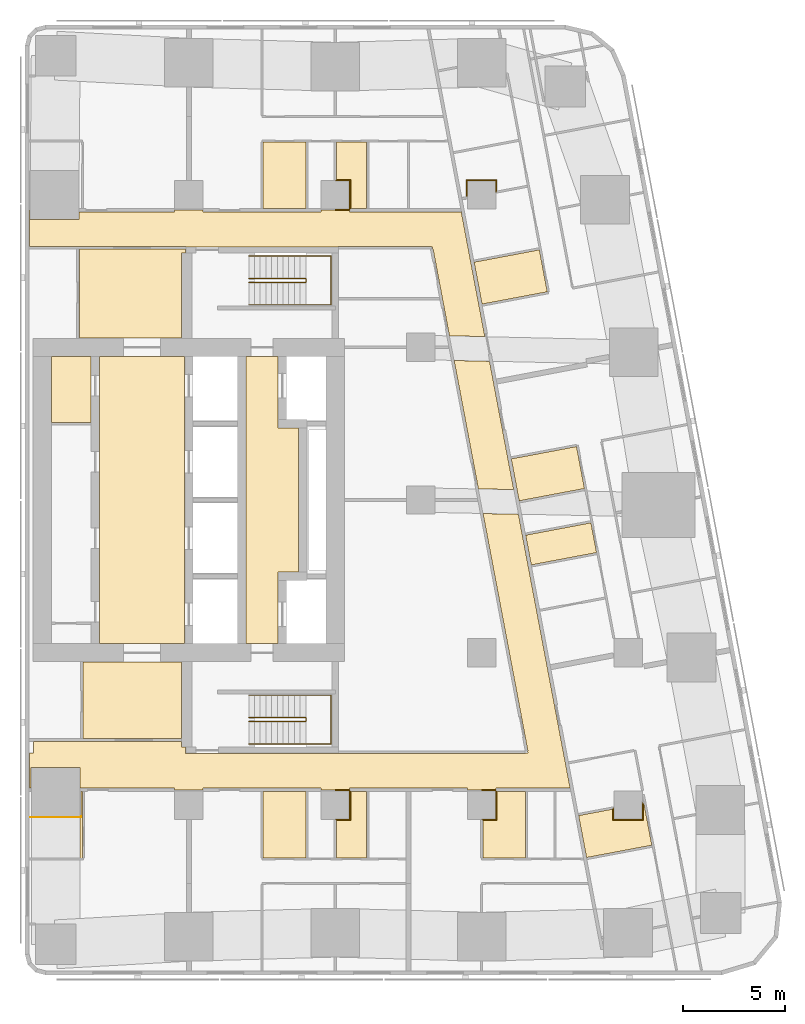
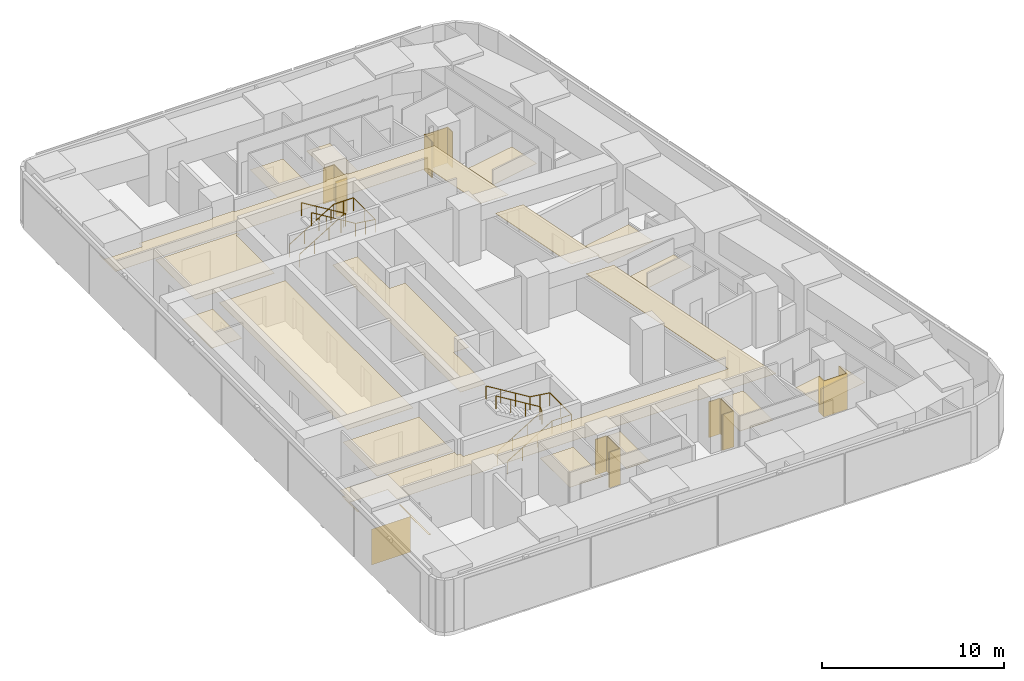
# One storey, part 10 of 10: 24 coverings, 4 railings.
"""IFC4 building model written with IfcOpenShell, lengths in metres."""

import ifcopenshell
import ifcopenshell.guid

model = None  # the IFC model being written
_history = None  # IfcOwnerHistory: only IFC2X3 demands one
_inside = {}  # id of a spatial element -> (the spatial element, [elements in it])
_under = {}  # id of a project, library or spatial element -> (it, [spatial elements below it])
_declared = {}  # id of a project -> (the project, [libraries it declares])
_typed = {}  # id of a type object -> (the type object, [elements of that type])
_made_of = {}  # id of a material, layer set ... -> (it, [elements and type objects made of it])


def new_model(schema):
    """Start an empty IFC model of exactly this schema.

    Asked for "IFC4X3", IfcOpenShell would pick the latest addendum, in which some entities
    have other attributes; the version numbers below select the first issue.
    IFC2X3 requires an IfcOwnerHistory on every rooted entity: one is made here for all.
    """
    global model, _history
    if schema == "IFC4X3":
        model = ifcopenshell.file(schema_version=(4, 3, 0, 0))
    else:
        model = ifcopenshell.file(schema=schema)
    _inside.clear()
    _under.clear()
    _declared.clear()
    _typed.clear()
    _made_of.clear()
    _history = None
    if model.schema == "IFC2X3":
        org = make("IfcOrganization", Name="unknown")
        user = make(
            "IfcPersonAndOrganization",
            ThePerson=make("IfcPerson", FamilyName="unknown"),
            TheOrganization=org,
        )
        app = make(
            "IfcApplication",
            ApplicationDeveloper=org,
            Version="unknown",
            ApplicationFullName="unknown",
            ApplicationIdentifier="unknown",
        )
        _history = make(
            "IfcOwnerHistory",
            OwningUser=user,
            OwningApplication=app,
            ChangeAction="ADDED",
            CreationDate=0,
        )
    return model


def make(cls, **values):
    """One entity of the class cls with the attributes given. An attribute that is None is left unset."""
    return model.create_entity(
        cls, **{name: value for name, value in values.items() if value is not None}
    )


def rooted(cls, **values):
    """An entity with a GlobalId (a new one), such as an element, a storey or a relation."""
    return make(cls, GlobalId=ifcopenshell.guid.new(), OwnerHistory=_history, **values)


def si_unit(unit_type, name, prefix=None):
    """IfcSIUnit, for example si_unit("LENGTHUNIT", "METRE", prefix="MILLI")."""
    return make("IfcSIUnit", UnitType=unit_type, Prefix=prefix, Name=name)


def assignment(units):
    """IfcUnitAssignment: the units of a project."""
    return None if units is None else make("IfcUnitAssignment", Units=units)


def point(xyz):
    """IfcCartesianPoint."""
    return None if xyz is None else make("IfcCartesianPoint", Coordinates=xyz)


def direction(xyz):
    """IfcDirection."""
    return None if xyz is None else make("IfcDirection", DirectionRatios=xyz)


def frame(location, z_axis=None, x_axis=None):
    """IfcAxis2Placement3D, a coordinate frame: its origin and axes. An axis left out is left unset."""
    return make(
        "IfcAxis2Placement3D",
        Location=point(location),
        Axis=direction(z_axis),
        RefDirection=direction(x_axis),
    )


def frame_2d(location, x_axis=None):
    """IfcAxis2Placement2D, a coordinate frame in the plane: its origin and x axis."""
    return make(
        "IfcAxis2Placement2D", Location=point(location), RefDirection=direction(x_axis)
    )


def origin():
    """The frame at (0, 0, 0) with its axes left unset."""
    return frame((0.0, 0.0, 0.0))


def origin_2d():
    """The frame at (0, 0) in the plane with its x axis left unset."""
    return frame_2d((0.0, 0.0))


def place(relative_to, where):
    """IfcLocalPlacement: puts the frame where relative to a parent placement (None: the world)."""
    return make(
        "IfcLocalPlacement", PlacementRelTo=relative_to, RelativePlacement=where
    )


def context(
    kind, dimensions, precision=None, world=None, true_north=None, identifier=None
):
    """IfcGeometricRepresentationContext, for example the 3D "Model" context."""
    return make(
        "IfcGeometricRepresentationContext",
        ContextIdentifier=identifier,
        ContextType=kind,
        CoordinateSpaceDimension=dimensions,
        Precision=precision,
        WorldCoordinateSystem=world,
        TrueNorth=true_north,
    )


def subcontext(parent, identifier, kind, view, scale=None):
    """IfcGeometricRepresentationSubContext, for example "Body" below "Model"."""
    return make(
        "IfcGeometricRepresentationSubContext",
        ContextIdentifier=identifier,
        ContextType=kind,
        ParentContext=parent,
        TargetScale=scale,
        TargetView=view,
    )


def project(units=None, contexts=None):
    """IfcProject with its units and contexts."""
    return rooted(
        "IfcProject",
        Name="project",
        RepresentationContexts=contexts,
        UnitsInContext=assignment(units),
    )


def spatial(cls, under=None, at=None, **own):
    """A site, building, storey or space (cls), placed at a placement, below another one or the project."""
    s = rooted(cls, ObjectPlacement=at, **own)
    if under is not None:
        _under.setdefault(under.id(), (under, []))[1].append(s)
    return s


def polyline(points):
    """IfcPolyline through the points."""
    return make("IfcPolyline", Points=[point(p) for p in points])


def profile(cls, at=None, kind="AREA", **sizes):
    """A parametric profile (cls). Its sizes go by their IFC names, for example OverallWidth=200.0."""
    return make(cls, ProfileType=kind, Position=at, **sizes)


def circle(**sizes):
    """IfcCircleProfileDef."""
    return profile("IfcCircleProfileDef", **sizes)


def outline(outer, holes=None, kind="AREA"):
    """IfcArbitraryClosedProfileDef: a profile drawn as a closed curve; with holes, ...WithVoids."""
    if holes is None:
        return make("IfcArbitraryClosedProfileDef", ProfileType=kind, OuterCurve=outer)
    return make(
        "IfcArbitraryProfileDefWithVoids",
        ProfileType=kind,
        OuterCurve=outer,
        InnerCurves=holes,
    )


def extrude(swept, where, along, depth):
    """IfcExtrudedAreaSolid: the profile swept, set in the frame where, extruded along a direction by depth."""
    return make(
        "IfcExtrudedAreaSolid",
        SweptArea=swept,
        Position=where,
        ExtrudedDirection=direction(along),
        Depth=depth,
    )


def shape(context_of_items, identifier, shape_type, items):
    """IfcShapeRepresentation: the items that make up one representation, for example the "Body"."""
    return make(
        "IfcShapeRepresentation",
        ContextOfItems=context_of_items,
        RepresentationIdentifier=identifier,
        RepresentationType=shape_type,
        Items=items,
    )


def material(Name=None, Category=None):
    """IfcMaterial."""
    return make("IfcMaterial", Name=Name, Category=Category)


def layer(
    of_material, thickness, ventilated=None, Name=None, Category=None, Priority=None
):
    """IfcMaterialLayer: one layer of a wall or slab, of a material (None: an air gap)."""
    return make(
        "IfcMaterialLayer",
        Material=of_material,
        LayerThickness=thickness,
        IsVentilated=ventilated,
        Name=Name,
        Category=Category,
        Priority=Priority,
    )


def layer_set(layers, Name=None):
    """IfcMaterialLayerSet."""
    return make("IfcMaterialLayerSet", MaterialLayers=layers, LayerSetName=Name)


def made_of(thing, what):
    """Note that an element or type object is made of a material, layer set ...; save() writes the relation."""
    if what is not None:
        _made_of.setdefault(what.id(), (what, []))[1].append(thing)
    return thing


def type_object(cls, material=None, **own):
    """A type object (cls), such as IfcWallType, which elements share."""
    return made_of(rooted(cls, **own), material)


def element(
    cls,
    number,
    at=None,
    inside=None,
    cuts=None,
    type_object=None,
    material=None,
    context=None,
    identifier="Body",
    shape_type=None,
    held_by="IfcProductDefinitionShape",
    body=None,
    shapes=None,
    **own,
):
    """One element of the class cls, such as IfcWall. Its Tag is "e" and its number.

    at: its placement. inside: the storey or other place that contains it. cuts: it is an
    opening in that element (IfcRelVoidsElement). A single representation is given by context,
    identifier, shape_type and body (its items); several are given by shapes. held_by: the class
    of the entity that holds the representations. save() writes the other relations.
    """
    e = rooted(cls, Tag="e%d" % number, ObjectPlacement=at, **own)
    if body is not None:
        shapes = [shape(context, identifier, shape_type, body)]
    if shapes is not None:
        e.Representation = make(held_by, Representations=shapes)
    if inside is not None:
        _inside.setdefault(inside.id(), (inside, []))[1].append(e)
    if cuts is not None:
        rooted(
            "IfcRelVoidsElement", RelatingBuildingElement=cuts, RelatedOpeningElement=e
        )
    if type_object is not None:
        _typed.setdefault(type_object.id(), (type_object, []))[1].append(e)
    return made_of(e, material)


def aggregate(whole, parts):
    """IfcRelAggregates: a whole, such as a stair, and the parts it consists of."""
    return rooted("IfcRelAggregates", RelatingObject=whole, RelatedObjects=parts)


def save(model, path):
    """Write the relations noted so far, then the file.

    IfcRelAggregates (storeys below a building ...), IfcRelContainedInSpatialStructure (elements
    in a storey), IfcRelDefinesByType, IfcRelAssociatesMaterial and IfcRelDeclares: one each for
    every whole, place, type object, material and project.
    """
    for whole, parts in _under.values():
        aggregate(whole, parts)
    for where, things in _inside.values():
        rooted(
            "IfcRelContainedInSpatialStructure",
            RelatedElements=things,
            RelatingStructure=where,
        )
    for kind, things in _typed.values():
        rooted("IfcRelDefinesByType", RelatedObjects=things, RelatingType=kind)
    for what, things in _made_of.values():
        rooted("IfcRelAssociatesMaterial", RelatedObjects=things, RelatingMaterial=what)
    for by, libraries in _declared.values():
        rooted("IfcRelDeclares", RelatingContext=by, RelatedDefinitions=libraries)
    model.write(path)


model = new_model("IFC4")

# Units and contexts
model_context = context("Model", 3, precision=1e-05, world=origin(), true_north=direction((0.0, 1.0)))
body_context = subcontext(model_context, "Body", "Model", "MODEL_VIEW")
ifc_project = project(units=[si_unit("LENGTHUNIT", "METRE"), si_unit("AREAUNIT", "SQUARE_METRE"), si_unit("VOLUMEUNIT", "CUBIC_METRE"), si_unit("PLANEANGLEUNIT", "RADIAN"), si_unit("MASSUNIT", "GRAM", prefix="KILO")], contexts=[model_context])

# Site, building, storey
site_placement = place(None, origin())
site = spatial("IfcSite", under=ifc_project, at=site_placement, CompositionType="ELEMENT")
building_placement = place(site_placement, origin())
building = spatial("IfcBuilding", under=site, at=building_placement, Name="Sheger Commons Tower", CompositionType="ELEMENT")
storey_placement = place(building_placement, frame((0.0, 0.0, 234.949951171875)))
storey = spatial("IfcBuildingStorey", under=building, at=storey_placement, Name="L60", CompositionType="ELEMENT", Elevation=234.949951171875)

# Railings
ifc_material_1 = material(Name="Steel handrail, black powder-coated", Category="steel")
railing_type = type_object("IfcRailingType", Name="HANDRAIL 900", PredefinedType="HANDRAIL", material=ifc_material_1)
railing_1_placement = place(storey_placement, frame((24.550048828125, 11.60009765625, 0.17041015625)))
element("IfcRailing", 1, at=railing_1_placement, inside=storey, type_object=railing_type, Name="Stair S1 handrail L60", PredefinedType="HANDRAIL", context=body_context, shape_type="SweptSolid", body=[
    extrude(circle(Radius=0.02392578125, at=origin_2d()), frame((0.0, 0.0, 0.8759765625), z_axis=(0.854169791009, 0.0, 0.51999420009), x_axis=(0.0, 1.0, 0.0)), (0.0, 0.0, 1.0), 3.278076171875),
    extrude(circle(Radius=0.02392578125, at=origin_2d()), frame((2.800048828125, 0.0, 2.58056640625), z_axis=(0.0, 0.761090297175, 0.648645943136), x_axis=(-1.0, 0.0, 0.0)), (0.0, 0.0, 1.0), 0.2626953125),
    extrude(circle(Radius=0.02392578125, at=origin_2d()), frame((2.800048828125, 0.199951171875, 2.7509765625), z_axis=(-0.854169791009, 0.0, 0.51999420009), x_axis=(0.0, -1.0, 0.0)), (0.0, 0.0, 1.0), 3.278076171875),
    extrude(circle(Radius=0.02099609375, at=origin_2d()), origin(), (0.0, 0.0, 1.0), 0.851806640625),
    extrude(circle(Radius=0.02099609375, at=origin_2d()), frame((0.933349609375, 0.0, 0.568115234375)), (0.0, 0.0, 1.0), 0.851806640625),
    extrude(circle(Radius=0.02099609375, at=origin_2d()), frame((1.86669921875, 0.0, 1.136474609375)), (0.0, 0.0, 1.0), 0.851806640625),
    extrude(circle(Radius=0.02099609375, at=origin_2d()), frame((2.800048828125, 0.0, 1.70458984375)), (0.0, 0.0, 1.0), 0.851806640625),
    extrude(circle(Radius=0.02099609375, at=origin_2d()), frame((2.800048828125, 0.199951171875, 1.875)), (0.0, 0.0, 1.0), 0.851806640625),
    extrude(circle(Radius=0.02099609375, at=origin_2d()), frame((1.86669921875, 0.199951171875, 2.443115234375)), (0.0, 0.0, 1.0), 0.851806640625),
    extrude(circle(Radius=0.02099609375, at=origin_2d()), frame((0.933349609375, 0.199951171875, 3.011474609375)), (0.0, 0.0, 1.0), 0.851806640625),
    extrude(circle(Radius=0.02099609375, at=origin_2d()), frame((0.0, 0.199951171875, 3.57958984375)), (0.0, 0.0, 1.0), 0.851806640625),
])
railing_2_placement = place(storey_placement, frame((24.550048828125, 10.5, 0.17041015625)))
element("IfcRailing", 2, at=railing_2_placement, inside=storey, type_object=railing_type, Name="Stair S1 handrail L60", PredefinedType="HANDRAIL", context=body_context, shape_type="SweptSolid", body=[
    extrude(circle(Radius=0.02392578125, at=origin_2d()), frame((0.0, 0.0, 0.8759765625), z_axis=(0.854169791009, 0.0, 0.51999420009), x_axis=(0.0, 1.0, 0.0)), (0.0, 0.0, 1.0), 3.278076171875),
    extrude(circle(Radius=0.02392578125, at=origin_2d()), frame((2.800048828125, 0.0, 2.58056640625), z_axis=(1.0, 0.0, 0.0), x_axis=(0.0, 1.0, 0.0)), (0.0, 0.0, 1.0), 1.25),
    extrude(circle(Radius=0.02392578125, at=origin_2d()), frame((4.050048828125, 0.0, 2.58056640625), z_axis=(0.0, 1.0, 0.0), x_axis=(-1.0, 0.0, 0.0)), (0.0, 0.0, 1.0), 2.39990234375),
    extrude(circle(Radius=0.02392578125, at=origin_2d()), frame((4.050048828125, 2.39990234375, 2.58056640625), z_axis=(-0.990834877927, 0.0, 0.135078661092), x_axis=(0.0, -1.0, 0.0)), (0.0, 0.0, 1.0), 1.261474609375),
    extrude(circle(Radius=0.02392578125, at=origin_2d()), frame((2.800048828125, 2.39990234375, 2.7509765625), z_axis=(-0.854169791009, 0.0, 0.51999420009), x_axis=(0.0, -1.0, 0.0)), (0.0, 0.0, 1.0), 3.278076171875),
    extrude(circle(Radius=0.02099609375, at=origin_2d()), origin(), (0.0, 0.0, 1.0), 0.851806640625),
    extrude(circle(Radius=0.02099609375, at=origin_2d()), frame((0.933349609375, 0.0, 0.568115234375)), (0.0, 0.0, 1.0), 0.851806640625),
    extrude(circle(Radius=0.02099609375, at=origin_2d()), frame((1.86669921875, 0.0, 1.136474609375)), (0.0, 0.0, 1.0), 0.851806640625),
    extrude(circle(Radius=0.02099609375, at=origin_2d()), frame((2.800048828125, 0.0, 1.70458984375)), (0.0, 0.0, 1.0), 0.851806640625),
    extrude(circle(Radius=0.02099609375, at=origin_2d()), frame((3.425048828125, 0.0, 1.70458984375)), (0.0, 0.0, 1.0), 0.851806640625),
    extrude(circle(Radius=0.02099609375, at=origin_2d()), frame((4.050048828125, 0.0, 1.70458984375)), (0.0, 0.0, 1.0), 0.851806640625),
    extrude(circle(Radius=0.02099609375, at=origin_2d()), frame((4.050048828125, 1.199951171875, 1.70458984375)), (0.0, 0.0, 1.0), 0.851806640625),
    extrude(circle(Radius=0.02099609375, at=origin_2d()), frame((4.050048828125, 2.39990234375, 1.70458984375)), (0.0, 0.0, 1.0), 0.851806640625),
    extrude(circle(Radius=0.02099609375, at=origin_2d()), frame((3.425048828125, 2.39990234375, 1.789794921875)), (0.0, 0.0, 1.0), 0.851806640625),
    extrude(circle(Radius=0.02099609375, at=origin_2d()), frame((2.800048828125, 2.39990234375, 1.875)), (0.0, 0.0, 1.0), 0.851806640625),
    extrude(circle(Radius=0.02099609375, at=origin_2d()), frame((1.86669921875, 2.39990234375, 2.443115234375)), (0.0, 0.0, 1.0), 0.851806640625),
    extrude(circle(Radius=0.02099609375, at=origin_2d()), frame((0.933349609375, 2.39990234375, 3.011474609375)), (0.0, 0.0, 1.0), 0.851806640625),
    extrude(circle(Radius=0.02099609375, at=origin_2d()), frame((0.0, 2.39990234375, 3.57958984375)), (0.0, 0.0, 1.0), 0.851806640625),
])
railing_3_placement = place(storey_placement, frame((24.550048828125, 33.39990234375, 0.17041015625)))
element("IfcRailing", 3, at=railing_3_placement, inside=storey, type_object=railing_type, Name="Stair S2 handrail L60", PredefinedType="HANDRAIL", context=body_context, shape_type="SweptSolid", body=[
    extrude(circle(Radius=0.02392578125, at=origin_2d()), frame((0.0, 0.0, 0.8759765625), z_axis=(0.854169791009, 0.0, 0.51999420009), x_axis=(0.0, 1.0, 0.0)), (0.0, 0.0, 1.0), 3.278076171875),
    extrude(circle(Radius=0.02392578125, at=origin_2d()), frame((2.800048828125, 0.0, 2.58056640625), z_axis=(0.0, -0.761090297175, 0.648645943136), x_axis=(1.0, 0.0, 0.0)), (0.0, 0.0, 1.0), 0.2626953125),
    extrude(circle(Radius=0.02392578125, at=origin_2d()), frame((2.800048828125, -0.199951171875, 2.7509765625), z_axis=(-0.854169791009, 0.0, 0.51999420009), x_axis=(0.0, -1.0, 0.0)), (0.0, 0.0, 1.0), 3.278076171875),
    extrude(circle(Radius=0.02099609375, at=origin_2d()), origin(), (0.0, 0.0, 1.0), 0.851806640625),
    extrude(circle(Radius=0.02099609375, at=origin_2d()), frame((0.933349609375, 0.0, 0.568115234375)), (0.0, 0.0, 1.0), 0.851806640625),
    extrude(circle(Radius=0.02099609375, at=origin_2d()), frame((1.86669921875, 0.0, 1.136474609375)), (0.0, 0.0, 1.0), 0.851806640625),
    extrude(circle(Radius=0.02099609375, at=origin_2d()), frame((2.800048828125, 0.0, 1.70458984375)), (0.0, 0.0, 1.0), 0.851806640625),
    extrude(circle(Radius=0.02099609375, at=origin_2d()), frame((2.800048828125, -0.199951171875, 1.875)), (0.0, 0.0, 1.0), 0.851806640625),
    extrude(circle(Radius=0.02099609375, at=origin_2d()), frame((1.86669921875, -0.199951171875, 2.443115234375)), (0.0, 0.0, 1.0), 0.851806640625),
    extrude(circle(Radius=0.02099609375, at=origin_2d()), frame((0.933349609375, -0.199951171875, 3.011474609375)), (0.0, 0.0, 1.0), 0.851806640625),
    extrude(circle(Radius=0.02099609375, at=origin_2d()), frame((0.0, -0.199951171875, 3.57958984375)), (0.0, 0.0, 1.0), 0.851806640625),
])
railing_4_placement = place(storey_placement, frame((24.550048828125, 34.5, 0.17041015625)))
element("IfcRailing", 4, at=railing_4_placement, inside=storey, type_object=railing_type, Name="Stair S2 handrail L60", PredefinedType="HANDRAIL", context=body_context, shape_type="SweptSolid", body=[
    extrude(circle(Radius=0.02392578125, at=origin_2d()), frame((0.0, 0.0, 0.8759765625), z_axis=(0.854169791009, 0.0, 0.51999420009), x_axis=(0.0, 1.0, 0.0)), (0.0, 0.0, 1.0), 3.278076171875),
    extrude(circle(Radius=0.02392578125, at=origin_2d()), frame((2.800048828125, 0.0, 2.58056640625), z_axis=(1.0, 0.0, 0.0), x_axis=(0.0, 1.0, 0.0)), (0.0, 0.0, 1.0), 1.25),
    extrude(circle(Radius=0.02392578125, at=origin_2d()), frame((4.050048828125, 0.0, 2.58056640625), z_axis=(0.0, -1.0, 0.0), x_axis=(1.0, 0.0, 0.0)), (0.0, 0.0, 1.0), 2.39990234375),
    extrude(circle(Radius=0.02392578125, at=origin_2d()), frame((4.050048828125, -2.39990234375, 2.58056640625), z_axis=(-0.990834877927, 0.0, 0.135078661092), x_axis=(0.0, -1.0, 0.0)), (0.0, 0.0, 1.0), 1.261474609375),
    extrude(circle(Radius=0.02392578125, at=origin_2d()), frame((2.800048828125, -2.39990234375, 2.7509765625), z_axis=(-0.854169791009, 0.0, 0.51999420009), x_axis=(0.0, -1.0, 0.0)), (0.0, 0.0, 1.0), 3.278076171875),
    extrude(circle(Radius=0.02099609375, at=origin_2d()), origin(), (0.0, 0.0, 1.0), 0.851806640625),
    extrude(circle(Radius=0.02099609375, at=origin_2d()), frame((0.933349609375, 0.0, 0.568115234375)), (0.0, 0.0, 1.0), 0.851806640625),
    extrude(circle(Radius=0.02099609375, at=origin_2d()), frame((1.86669921875, 0.0, 1.136474609375)), (0.0, 0.0, 1.0), 0.851806640625),
    extrude(circle(Radius=0.02099609375, at=origin_2d()), frame((2.800048828125, 0.0, 1.70458984375)), (0.0, 0.0, 1.0), 0.851806640625),
    extrude(circle(Radius=0.02099609375, at=origin_2d()), frame((3.425048828125, 0.0, 1.70458984375)), (0.0, 0.0, 1.0), 0.851806640625),
    extrude(circle(Radius=0.02099609375, at=origin_2d()), frame((4.050048828125, 0.0, 1.70458984375)), (0.0, 0.0, 1.0), 0.851806640625),
    extrude(circle(Radius=0.02099609375, at=origin_2d()), frame((4.050048828125, -1.199951171875, 1.70458984375)), (0.0, 0.0, 1.0), 0.851806640625),
    extrude(circle(Radius=0.02099609375, at=origin_2d()), frame((4.050048828125, -2.39990234375, 1.70458984375)), (0.0, 0.0, 1.0), 0.851806640625),
    extrude(circle(Radius=0.02099609375, at=origin_2d()), frame((3.425048828125, -2.39990234375, 1.789794921875)), (0.0, 0.0, 1.0), 0.851806640625),
    extrude(circle(Radius=0.02099609375, at=origin_2d()), frame((2.800048828125, -2.39990234375, 1.875)), (0.0, 0.0, 1.0), 0.851806640625),
    extrude(circle(Radius=0.02099609375, at=origin_2d()), frame((1.86669921875, -2.39990234375, 2.443115234375)), (0.0, 0.0, 1.0), 0.851806640625),
    extrude(circle(Radius=0.02099609375, at=origin_2d()), frame((0.933349609375, -2.39990234375, 3.011474609375)), (0.0, 0.0, 1.0), 0.851806640625),
    extrude(circle(Radius=0.02099609375, at=origin_2d()), frame((0.0, -2.39990234375, 3.57958984375)), (0.0, 0.0, 1.0), 0.851806640625),
])

# Coverings
ifc_material_2 = material(Name="Moisture-resistant gypsum plasterboard 15 mm on a suspended galvanised steel grid", Category="steel")
ifc_layer_1 = layer(ifc_material_2, 0.014892578125)
ifc_layer_set_1 = layer_set([ifc_layer_1], Name="MOISTURE-RESISTANT CEILING 15")
covering_type_1 = type_object("IfcCoveringType", Name="MOISTURE-RESISTANT CEILING 15", PredefinedType="CEILING", material=ifc_layer_set_1)
covering_1_placement = place(storey_placement, frame((0.0, 0.0, 2.400146484375)))
element("IfcCovering", 5, at=covering_1_placement, inside=storey, type_object=covering_type_1, Name="L60-01.B1 ceiling", PredefinedType="CEILING", context=body_context, shape_type="SweptSolid", body=[
    extrude(outline(polyline([(16.259033203125, 4.85009765625), (16.428955078125, 4.85009765625), (16.428955078125, 4.89501953125), (16.3740234375, 4.89501953125), (16.3740234375, 8.169921875), (16.303955078125, 8.169921875), (16.303955078125, 6.9541015625), (16.2958984375, 6.926025390625), (16.27294921875, 6.907958984375), (16.259033203125, 6.907958984375), (16.259033203125, 4.85009765625)])), origin(), (0.0, 0.0, 1.0), 0.014892578125),
])
covering_2_placement = place(storey_placement, frame((0.0, 0.0, 2.400146484375)))
element("IfcCovering", 6, at=covering_2_placement, inside=storey, type_object=covering_type_1, Name="L60-02.B1 ceiling", PredefinedType="CEILING", context=body_context, shape_type="SweptSolid", body=[
    extrude(outline(polyline([(25.2548828125, 4.905029296875), (27.35498046875, 4.905029296875), (27.35498046875, 8.169921875), (25.2548828125, 8.169921875), (25.2548828125, 4.905029296875)])), origin(), (0.0, 0.0, 1.0), 0.014892578125),
])
covering_3_placement = place(storey_placement, frame((0.0, 0.0, 2.400146484375)))
element("IfcCovering", 7, at=covering_3_placement, inside=storey, type_object=covering_type_1, Name="L60-02.B2 ceiling", PredefinedType="CEILING", context=body_context, shape_type="SweptSolid", body=[
    extrude(outline(polyline([(28.85498046875, 4.905029296875), (30.344970703125, 4.905029296875), (30.344970703125, 8.169921875), (29.5048828125, 8.169921875), (29.5048828125, 6.794921875), (28.85498046875, 6.794921875), (28.85498046875, 4.905029296875)])), origin(), (0.0, 0.0, 1.0), 0.014892578125),
])
covering_4_placement = place(storey_placement, frame((0.0, 0.0, 2.400146484375)))
element("IfcCovering", 8, at=covering_4_placement, inside=storey, type_object=covering_type_1, Name="L60-03.B1 ceiling", PredefinedType="CEILING", context=body_context, shape_type="SweptSolid", body=[
    extrude(outline(polyline([(36.054931640625, 4.905029296875), (38.155029296875, 4.905029296875), (38.155029296875, 8.169921875), (36.705078125, 8.169921875), (36.705078125, 6.794921875), (36.054931640625, 6.794921875), (36.054931640625, 4.905029296875)])), origin(), (0.0, 0.0, 1.0), 0.014892578125),
])
covering_5_placement = place(storey_placement, frame((0.0, 0.0, 2.400146484375)))
element("IfcCovering", 9, at=covering_5_placement, inside=storey, type_object=covering_type_1, Name="L60-04.B1 ceiling", PredefinedType="CEILING", context=body_context, shape_type="SweptSolid", body=[
    extrude(outline(polyline([(36.01708984375, 32.1298828125), (39.22412109375, 32.736083984375), (38.833984375, 34.800048828125), (35.626953125, 34.194091796875), (36.01708984375, 32.1298828125)])), origin(), (0.0, 0.0, 1.0), 0.014892578125),
])
covering_6_placement = place(storey_placement, frame((0.0, 0.0, 2.400146484375)))
element("IfcCovering", 10, at=covering_6_placement, inside=storey, type_object=covering_type_1, Name="L60-05.B1 ceiling", PredefinedType="CEILING", context=body_context, shape_type="SweptSolid", body=[
    extrude(outline(polyline([(37.843017578125, 22.4580078125), (41.052001953125, 23.06396484375), (40.662109375, 25.1279296875), (37.4541015625, 24.52197265625), (37.843017578125, 22.4580078125)])), origin(), (0.0, 0.0, 1.0), 0.014892578125),
])
covering_7_placement = place(storey_placement, frame((0.0, 0.0, 2.400146484375)))
element("IfcCovering", 11, at=covering_7_placement, inside=storey, type_object=covering_type_1, Name="L60-05.B2 ceiling", PredefinedType="CEILING", context=body_context, shape_type="SweptSolid", body=[
    extrude(outline(polyline([(38.43798828125, 19.30810546875), (41.64697265625, 19.9140625), (41.37109375, 21.3779296875), (38.162109375, 20.77197265625), (38.43798828125, 19.30810546875)])), origin(), (0.0, 0.0, 1.0), 0.014892578125),
])
covering_8_placement = place(storey_placement, frame((0.0, 0.0, 2.400146484375)))
element("IfcCovering", 12, at=covering_8_placement, inside=storey, type_object=covering_type_1, Name="L60-06.B1 ceiling", PredefinedType="CEILING", context=body_context, shape_type="SweptSolid", body=[
    extrude(outline(polyline([(41.156005859375, 4.9208984375), (44.364013671875, 5.527099609375), (43.97412109375, 7.591064453125), (43.9150390625, 7.580078125), (43.906982421875, 7.623046875), (43.905029296875, 7.623046875), (43.905029296875, 6.794921875), (42.4951171875, 6.794921875), (42.4951171875, 7.31201171875), (40.76611328125, 6.985107421875), (41.156005859375, 4.9208984375)])), origin(), (0.0, 0.0, 1.0), 0.014892578125),
])
covering_9_placement = place(storey_placement, frame((0.0, 0.0, 2.400146484375)))
element("IfcCovering", 13, at=covering_9_placement, inside=storey, type_object=covering_type_1, Name="L60-08.B1 ceiling", PredefinedType="CEILING", context=body_context, shape_type="SweptSolid", body=[
    extrude(outline(polyline([(25.2548828125, 36.830078125), (27.35498046875, 36.830078125), (27.35498046875, 40.094970703125), (25.2548828125, 40.094970703125), (25.2548828125, 36.830078125)])), origin(), (0.0, 0.0, 1.0), 0.014892578125),
])
covering_10_placement = place(storey_placement, frame((0.0, 0.0, 2.400146484375)))
element("IfcCovering", 14, at=covering_10_placement, inside=storey, type_object=covering_type_1, Name="L60-08.B2 ceiling", PredefinedType="CEILING", context=body_context, shape_type="SweptSolid", body=[
    extrude(outline(polyline([(29.5048828125, 36.830078125), (30.344970703125, 36.830078125), (30.344970703125, 40.094970703125), (28.85498046875, 40.094970703125), (28.85498046875, 38.205078125), (29.5048828125, 38.205078125), (29.5048828125, 36.830078125)])), origin(), (0.0, 0.0, 1.0), 0.014892578125),
])
covering_11_placement = place(storey_placement, frame((0.0, 0.0, 2.400146484375)))
element("IfcCovering", 15, at=covering_11_placement, inside=storey, type_object=covering_type_1, Name="L60-CRB2 ceiling", PredefinedType="CEILING", context=body_context, shape_type="SweptSolid", body=[
    extrude(outline(polyline([(14.85498046875, 26.31689453125), (16.794921875, 26.31689453125), (16.794921875, 29.544921875), (14.85498046875, 29.544921875), (14.85498046875, 26.31689453125)])), origin(), (0.0, 0.0, 1.0), 0.014892578125),
])
ifc_material_3 = material(Name="Gypsum plasterboard 15 mm on a suspended steel grid", Category="steel")
ifc_layer_2 = layer(ifc_material_3, 0.014892578125)
ifc_layer_set_2 = layer_set([ifc_layer_2], Name="SUSPENDED CEILING 15")
covering_type_2 = type_object("IfcCoveringType", Name="SUSPENDED CEILING 15", PredefinedType="CEILING", material=ifc_layer_set_2)
covering_12_placement = place(storey_placement, frame((0.0, 0.0, 2.699951171875)))
element("IfcCovering", 16, at=covering_12_placement, inside=storey, type_object=covering_type_2, Name="L60-CO ceiling", PredefinedType="CEILING", context=body_context, shape_type="SweptSolid", body=[
    extrude(outline(polyline([(20.904052734375, 8.25), (22.2958984375, 8.25), (22.2958984375, 8.330078125), (28.10400390625, 8.330078125), (28.10400390625, 8.25), (29.49609375, 8.25), (29.49609375, 8.330078125), (35.303955078125, 8.330078125), (35.303955078125, 8.25), (36.696044921875, 8.25), (36.696044921875, 8.330078125), (40.34912109375, 8.330078125), (37.804931640625, 21.798095703125), (36.06591796875, 21.8330078125), (38.26904296875, 10.1708984375), (38.251953125, 10.1669921875), (38.27392578125, 10.050048828125), (38.14306640625, 10.050048828125), (38.14306640625, 10.031982421875), (28.945068359375, 10.031982421875), (28.945068359375, 10.044921875), (21.445068359375, 10.044921875), (21.445068359375, 10.344970703125), (21.2451171875, 10.344970703125), (21.2451171875, 10.632080078125), (13.9599609375, 10.632080078125), (13.9599609375, 10.050048828125), (13.7548828125, 10.050048828125), (13.7548828125, 8.330078125), (13.84912109375, 8.330078125), (13.84912109375, 9.35888671875), (16.259033203125, 9.35888671875), (16.259033203125, 8.330078125), (20.904052734375, 8.330078125), (20.904052734375, 8.25)])), origin(), (0.0, 0.0, 1.0), 0.01513671875),
])
covering_13_placement = place(storey_placement, frame((0.0, 0.0, 2.699951171875)))
element("IfcCovering", 17, at=covering_13_placement, inside=storey, type_object=covering_type_2, Name="L60-CO ceiling", PredefinedType="CEILING", context=body_context, shape_type="SweptSolid", body=[
    extrude(outline(polyline([(37.575927734375, 23.011962890625), (36.385009765625, 29.318115234375), (34.64501953125, 29.35791015625), (35.8369140625, 23.048095703125), (37.575927734375, 23.011962890625)])), origin(), (0.0, 0.0, 1.0), 0.01513671875),
])
covering_14_placement = place(storey_placement, frame((0.0, 0.0, 2.699951171875)))
element("IfcCovering", 18, at=covering_14_placement, inside=storey, type_object=covering_type_2, Name="L60-CO ceiling", PredefinedType="CEILING", context=body_context, shape_type="SweptSolid", body=[
    extrude(outline(polyline([(36.155029296875, 30.533935546875), (34.98095703125, 36.75), (34.97705078125, 36.75), (34.97705078125, 36.669921875), (29.49609375, 36.669921875), (29.49609375, 36.75), (28.10400390625, 36.75), (28.10400390625, 36.669921875), (22.2958984375, 36.669921875), (22.2958984375, 36.75), (20.904052734375, 36.75), (20.904052734375, 36.669921875), (16.205078125, 36.669921875), (16.205078125, 36.294921875), (13.794921875, 36.294921875), (13.794921875, 36.75), (13.7548828125, 36.75), (13.7548828125, 34.968017578125), (21.455078125, 34.968017578125), (21.455078125, 34.949951171875), (28.945068359375, 34.949951171875), (28.945068359375, 34.968017578125), (33.54296875, 34.968017578125), (33.54296875, 34.949951171875), (33.571044921875, 34.949951171875), (33.589111328125, 34.85205078125), (33.60595703125, 34.85498046875), (34.4150390625, 30.572998046875), (36.155029296875, 30.533935546875)])), origin(), (0.0, 0.0, 1.0), 0.01513671875),
])
covering_15_placement = place(storey_placement, frame((0.0, 0.0, 2.699951171875)))
element("IfcCovering", 19, at=covering_15_placement, inside=storey, type_object=covering_type_2, Name="L60-SVS1 ceiling", PredefinedType="CEILING", context=body_context, shape_type="SweptSolid", body=[
    extrude(outline(polyline([(16.406982421875, 10.76806640625), (21.2451171875, 10.76806640625), (21.2451171875, 14.544921875), (16.406982421875, 14.544921875), (16.406982421875, 10.76806640625)])), origin(), (0.0, 0.0, 1.0), 0.01513671875),
])
covering_16_placement = place(storey_placement, frame((0.0, 0.0, 2.699951171875)))
element("IfcCovering", 20, at=covering_16_placement, inside=storey, type_object=covering_type_2, Name="L60-SVN1 ceiling", PredefinedType="CEILING", context=body_context, shape_type="SweptSolid", body=[
    extrude(outline(polyline([(16.217041015625, 30.455078125), (21.2451171875, 30.455078125), (21.2451171875, 34.655029296875), (21.445068359375, 34.655029296875), (21.445068359375, 34.83203125), (16.217041015625, 34.83203125), (16.217041015625, 30.455078125)])), origin(), (0.0, 0.0, 1.0), 0.01513671875),
])
covering_17_placement = place(storey_placement, frame((0.0, 0.0, 2.699951171875)))
element("IfcCovering", 21, at=covering_17_placement, inside=storey, type_object=covering_type_2, Name="L60-LL ceiling", PredefinedType="CEILING", context=body_context, shape_type="SweptSolid", body=[
    extrude(outline(polyline([(17.205078125, 15.455078125), (21.39990234375, 15.455078125), (21.39990234375, 29.544921875), (17.205078125, 29.544921875), (17.205078125, 15.455078125)])), origin(), (0.0, 0.0, 1.0), 0.01513671875),
])
covering_18_placement = place(storey_placement, frame((0.0, 0.0, 2.699951171875)))
element("IfcCovering", 22, at=covering_18_placement, inside=storey, type_object=covering_type_2, Name="L60-FL ceiling", PredefinedType="CEILING", context=body_context, shape_type="SweptSolid", body=[
    extrude(outline(polyline([(24.405029296875, 15.455078125), (25.9951171875, 15.455078125), (25.9951171875, 18.955078125), (26.9951171875, 18.955078125), (26.9951171875, 26.044921875), (25.9951171875, 26.044921875), (25.9951171875, 29.544921875), (24.405029296875, 29.544921875), (24.405029296875, 15.455078125)])), origin(), (0.0, 0.0, 1.0), 0.01513671875),
])
ifc_material_4 = material(Name="Moisture-resistant gypsum board 12.5 mm on 25 mm treated timber battens, tanked and tiled", Category="wood")
ifc_layer_3 = layer(ifc_material_4, 0.050048828125)
ifc_layer_set_3 = layer_set([ifc_layer_3], Name="WET-ROOM COLUMN LINING")
covering_type_3 = type_object("IfcCoveringType", Name="WET-ROOM COLUMN LINING", PredefinedType="CLADDING", material=ifc_layer_set_3)
covering_19_placement = place(storey_placement, origin())
element("IfcCovering", 23, at=covering_19_placement, inside=storey, type_object=covering_type_3, Name="Shower room column lining C5 L60", PredefinedType="CLADDING", context=body_context, shape_type="SweptSolid", body=[
    extrude(outline(polyline([(16.27294921875, 6.907958984375), (16.2958984375, 6.926025390625), (16.303955078125, 6.9541015625), (16.303955078125, 8.175048828125), (16.303955078125, 6.904052734375), (13.803955078125, 6.904052734375), (16.27294921875, 6.907958984375)])), origin(), (0.0, 0.0, 1.0), 2.400146484375),
])
covering_20_placement = place(storey_placement, origin())
element("IfcCovering", 24, at=covering_20_placement, inside=storey, type_object=covering_type_3, Name="Shower room column lining C11 L60", PredefinedType="CLADDING", context=body_context, shape_type="SweptSolid", body=[
    extrude(outline(polyline([(29.550048828125, 6.75), (28.85009765625, 6.75), (28.85009765625, 6.799072265625), (28.800048828125, 6.799072265625), (28.800048828125, 6.800048828125), (29.5, 6.800048828125), (29.5, 8.199951171875), (28.800048828125, 8.199951171875), (28.800048828125, 8.25), (29.5009765625, 8.25), (29.5009765625, 8.175048828125), (29.550048828125, 8.175048828125), (29.550048828125, 6.75)])), origin(), (0.0, 0.0, 1.0), 2.400146484375),
])
covering_21_placement = place(storey_placement, origin())
element("IfcCovering", 25, at=covering_21_placement, inside=storey, type_object=covering_type_3, Name="Bathroom column lining C11 L60", PredefinedType="CLADDING", context=body_context, shape_type="SweptSolid", body=[
    extrude(outline(polyline([(36.75, 6.75), (36.050048828125, 6.75), (36.050048828125, 6.799072265625), (36.0, 6.799072265625), (36.0, 6.800048828125), (36.699951171875, 6.800048828125), (36.699951171875, 8.199951171875), (36.0, 8.199951171875), (36.0, 8.25), (36.700927734375, 8.25), (36.700927734375, 8.175048828125), (36.75, 8.175048828125), (36.75, 6.75)])), origin(), (0.0, 0.0, 1.0), 2.400146484375),
])
covering_22_placement = place(storey_placement, origin())
element("IfcCovering", 26, at=covering_22_placement, inside=storey, type_object=covering_type_3, Name="Bathroom column lining C11 L60", PredefinedType="CLADDING", context=body_context, shape_type="SweptSolid", body=[
    extrude(outline(polyline([(42.5, 7.367919921875), (42.5, 6.800048828125), (43.89990234375, 6.800048828125), (43.89990234375, 7.633056640625), (43.909912109375, 7.635009765625), (43.9189453125, 7.5859375), (43.949951171875, 7.592041015625), (43.949951171875, 6.75), (42.449951171875, 6.75), (42.449951171875, 7.30908203125), (42.4990234375, 7.318115234375), (42.489990234375, 7.365966796875), (42.5, 7.367919921875)])), origin(), (0.0, 0.0, 1.0), 2.400146484375),
])
covering_23_placement = place(storey_placement, origin())
element("IfcCovering", 27, at=covering_23_placement, inside=storey, type_object=covering_type_3, Name="Shower room column lining C11 L60", PredefinedType="CLADDING", context=body_context, shape_type="SweptSolid", body=[
    extrude(outline(polyline([(29.550048828125, 36.824951171875), (29.5009765625, 36.824951171875), (29.5009765625, 36.75), (28.800048828125, 36.75), (28.800048828125, 36.800048828125), (29.5, 36.800048828125), (29.5, 38.199951171875), (28.800048828125, 38.199951171875), (28.800048828125, 38.200927734375), (28.85009765625, 38.200927734375), (28.85009765625, 38.25), (29.550048828125, 38.25), (29.550048828125, 36.824951171875)])), origin(), (0.0, 0.0, 1.0), 2.400146484375),
])
covering_24_placement = place(storey_placement, origin())
element("IfcCovering", 28, at=covering_24_placement, inside=storey, type_object=covering_type_3, Name="Laundry room column lining C11 L60", PredefinedType="CLADDING", context=body_context, shape_type="SweptSolid", body=[
    extrude(outline(polyline([(36.75, 38.25), (36.75, 37.69189453125), (36.700927734375, 37.68310546875), (36.7099609375, 37.635009765625), (36.699951171875, 37.633056640625), (36.699951171875, 38.199951171875), (35.300048828125, 38.199951171875), (35.300048828125, 37.367919921875), (35.2900390625, 37.365966796875), (35.281005859375, 37.4150390625), (35.25, 37.408935546875), (35.25, 38.25), (36.75, 38.25)])), origin(), (0.0, 0.0, 1.0), 2.400146484375),
])

save(model, "model.ifc")
